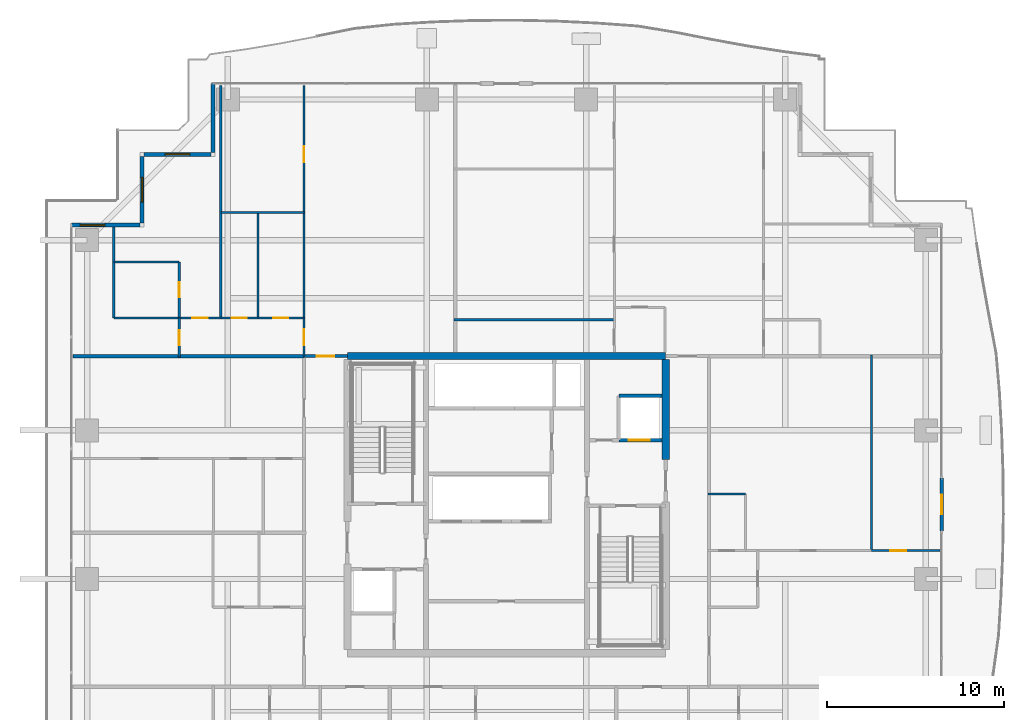
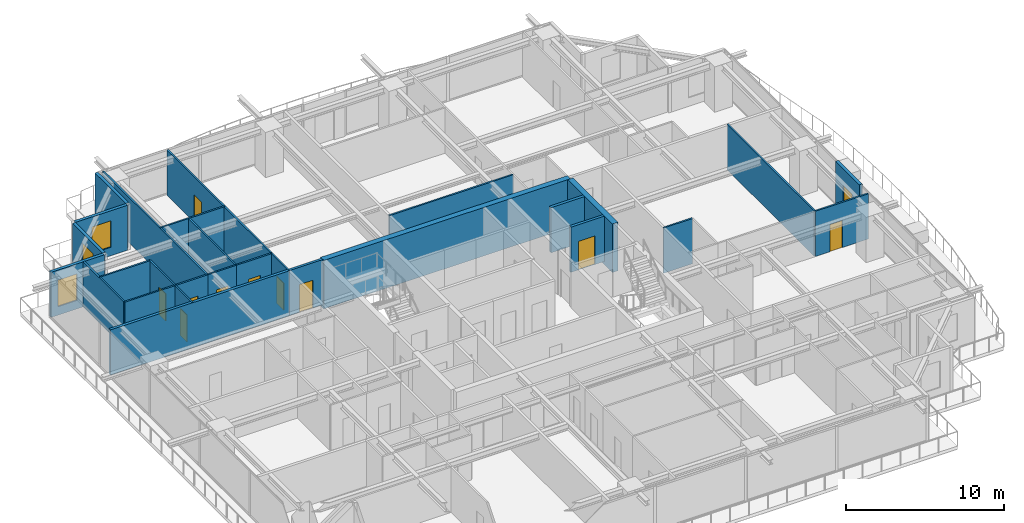
# One storey, part 26 of 33: 29 walls, 11 doors, 3 windows, 14 openings.
"""IFC4 building model written with IfcOpenShell, lengths in metres."""

from ifc_helpers import new_model, si_unit, direction, frame, frame_2d, origin, place, context, subcontext, project, spatial, rectangle, extrude, source, transform, mapped, material, layer, layer_set, type_object, element, fill, save


model = new_model("IFC4")

# Units and contexts
model_context = context("Model", 3, precision=1e-05, world=origin(), true_north=direction((0.0, 1.0)))
body_context = subcontext(model_context, "Body", "Model", "MODEL_VIEW")
ifc_project = project(units=[si_unit("LENGTHUNIT", "METRE"), si_unit("AREAUNIT", "SQUARE_METRE"), si_unit("VOLUMEUNIT", "CUBIC_METRE"), si_unit("PLANEANGLEUNIT", "RADIAN"), si_unit("MASSUNIT", "GRAM", prefix="KILO")], contexts=[model_context])

# Site, building, storey
site_placement = place(None, origin())
site = spatial("IfcSite", under=ifc_project, at=site_placement, CompositionType="ELEMENT")
building_placement = place(site_placement, origin())
building = spatial("IfcBuilding", under=site, at=building_placement, Name="Serunith Strait Residences", CompositionType="ELEMENT")
storey_placement = place(building_placement, frame((0.0, 0.0, 165.14990234375)))
storey = spatial("IfcBuildingStorey", under=building, at=storey_placement, Name="L41", CompositionType="ELEMENT", Elevation=165.14990234375)

# Wall, opening, door
ifc_material_1 = material(Name="Pale-Champagne Aluminium Insulated Panel", Category="aluminium")
ifc_layer_1 = layer(ifc_material_1, 0.219970703125, Name="Pale-Champagne Aluminium Insulated Panel")
ifc_layer_set_1 = layer_set([ifc_layer_1], Name="Pale-Champagne Aluminium Insulated Panel")
wall_type_1 = type_object("IfcWallType", Name="EW-ALUM-220", PredefinedType="ELEMENTEDWALL", material=ifc_layer_set_1)
wall_1_placement = place(storey_placement, frame((57.0, 23.699951171875, 0.0), z_axis=(0.0, 0.0, 1.0), x_axis=(0.0, 1.0, 0.0)))
wall_1 = element("IfcWall", 1, at=wall_1_placement, inside=storey, type_object=wall_type_1, Name="L41 E Facade Pier Wall", PredefinedType="ELEMENTEDWALL", context=body_context, shape_type="SweptSolid", body=[
    extrude(rectangle(XDim=3.0, YDim=0.219970703125, at=frame_2d((1.5, 0.0))), origin(), (0.0, 0.0, 1.0), 3.47509765625),
])
opening_1_placement = place(wall_1_placement, frame((0.949951171875, 0.0, 0.0)))
opening_1 = element("IfcOpeningElement", 2, at=opening_1_placement, cuts=wall_1, Name="Opening ED-03", PredefinedType="OPENING", context=body_context, shape_type="SweptSolid", body=[
    extrude(rectangle(XDim=1.10009765625, YDim=2.199951171875, at=frame_2d((0.550048828125, 1.10009765625))), frame((0.0, 0.1201171875, 0.0), z_axis=(0.0, -1.0, 0.0), x_axis=(1.0, 0.0, 0.0)), (0.0, 0.0, 1.0), 0.239990234375),
])
ifc_material_2 = material(Name="Thermally-Broken Aluminium Glazed Balcony Door", Category="aluminium")
door_type_1 = type_object("IfcDoorType", Name="ED-BALC-1100", OperationType="NOTDEFINED", PredefinedType="DOOR", material=ifc_material_2)
shared_shape_1 = source(origin(), body_context, "Body", "SweptSolid", [
    extrude(rectangle(XDim=1.10009765625, YDim=2.199951171875, at=frame_2d((0.550048828125, 1.10009765625))), frame((0.0, 0.02490234375, 0.0), z_axis=(0.0, -1.0, 0.0), x_axis=(1.0, 0.0, 0.0)), (0.0, 0.0, 1.0), 0.050048828125),
])
door_1_placement = place(opening_1_placement, origin())
door_1 = element("IfcDoor", 3, at=door_1_placement, inside=storey, type_object=door_type_1, Name="L41 E Vertical-Forest Balcony Door", OperationType="SINGLE_SWING_RIGHT", OverallHeight=2.199951171875, OverallWidth=1.10009765625, PredefinedType="DOOR", context=body_context, shape_type="MappedRepresentation", body=[
    mapped(shared_shape_1, transform((0.0, 0.0, 0.0), scale=1.0)),
])
fill(opening_1, door_1)

# Wall
wall_2_placement = place(storey_placement, frame((15.800048828125, 49.0, 0.0), z_axis=(0.0, 0.0, 1.0), x_axis=(0.0, -1.0, 0.0)))
element("IfcWall", 4, at=wall_2_placement, inside=storey, type_object=wall_type_1, Name="L41 Girih Serrated Corner Wall 12", PredefinedType="ELEMENTEDWALL", context=body_context, shape_type="SweptSolid", body=[
    extrude(rectangle(XDim=3.889892578125, YDim=0.219970703125, at=frame_2d((1.94482421875, 0.0))), origin(), (0.0, 0.0, 1.0), 3.47509765625),
])

# Wall, opening, window
wall_3_placement = place(storey_placement, frame((15.68994140625, 45.0, 0.0), z_axis=(0.0, 0.0, 1.0), x_axis=(-1.0, 0.0, 0.0)))
wall_3 = element("IfcWall", 5, at=wall_3_placement, inside=storey, type_object=wall_type_1, Name="L41 Girih Serrated Corner Wall 13", PredefinedType="ELEMENTEDWALL", context=body_context, shape_type="SweptSolid", body=[
    extrude(rectangle(XDim=3.780029296875, YDim=0.219970703125, at=frame_2d((1.89013671875, 0.0))), origin(), (0.0, 0.0, 1.0), 3.47509765625),
])
opening_2_placement = place(wall_3_placement, frame((1.18994140625, 0.0, 0.64990234375)))
opening_2 = element("IfcOpeningElement", 6, at=opening_2_placement, cuts=wall_3, Name="Opening W-03", PredefinedType="OPENING", context=body_context, shape_type="SweptSolid", body=[
    extrude(rectangle(XDim=1.39990234375, YDim=2.050048828125, at=frame_2d((0.699951171875, 1.02490234375))), frame((0.0, 0.1201171875, 0.0), z_axis=(0.0, -1.0, 0.0), x_axis=(1.0, 0.0, 0.0)), (0.0, 0.0, 1.0), 0.239990234375),
])
ifc_material_3 = material(Name="Ceramic-Fritted Operable Aluminium Window Glass", Category="aluminium")
window_type = type_object("IfcWindowType", Name="WIN-C3", PartitioningType="SINGLE_PANEL", PredefinedType="WINDOW", material=ifc_material_3)
shared_shape_2 = source(origin(), body_context, "Body", "SweptSolid", [
    extrude(rectangle(XDim=1.39990234375, YDim=2.050048828125, at=frame_2d((0.699951171875, 1.02490234375))), frame((0.0, 0.030029296875, 0.0), z_axis=(0.0, -1.0, 0.0), x_axis=(1.0, 0.0, 0.0)), (0.0, 0.0, 1.0), 0.06005859375),
])
window_1_placement = place(opening_2_placement, origin())
window_1 = element("IfcWindow", 7, at=window_1_placement, inside=storey, type_object=window_type, Name="L41 Corner Operable Fritted Window 13", OverallHeight=2.050048828125, OverallWidth=1.39990234375, PartitioningType="SINGLE_PANEL", PredefinedType="WINDOW", context=body_context, shape_type="MappedRepresentation", body=[
    mapped(shared_shape_2, transform((0.0, 0.0, 0.0), scale=1.0)),
])
fill(opening_2, window_1)

wall_4_placement = place(storey_placement, frame((11.800048828125, 44.889892578125, 0.0), z_axis=(0.0, 0.0, 1.0), x_axis=(0.0, -1.0, 0.0)))
wall_4 = element("IfcWall", 8, at=wall_4_placement, inside=storey, type_object=wall_type_1, Name="L41 Girih Serrated Corner Wall 14", PredefinedType="ELEMENTEDWALL", context=body_context, shape_type="SweptSolid", body=[
    extrude(rectangle(XDim=3.77978515625, YDim=0.219970703125, at=frame_2d((1.889892578125, 0.0))), origin(), (0.0, 0.0, 1.0), 3.47509765625),
])
opening_3_placement = place(wall_4_placement, frame((1.18994140625, 0.0, 0.64990234375)))
opening_3 = element("IfcOpeningElement", 9, at=opening_3_placement, cuts=wall_4, Name="Opening W-03", PredefinedType="OPENING", context=body_context, shape_type="SweptSolid", body=[
    extrude(rectangle(XDim=1.39990234375, YDim=2.050048828125, at=frame_2d((0.699951171875, 1.02490234375))), frame((0.0, 0.1201171875, 0.0), z_axis=(0.0, -1.0, 0.0), x_axis=(1.0, 0.0, 0.0)), (0.0, 0.0, 1.0), 0.239990234375),
])
window_2_placement = place(opening_3_placement, origin())
window_2 = element("IfcWindow", 10, at=window_2_placement, inside=storey, type_object=window_type, Name="L41 Corner Operable Fritted Window 14", OverallHeight=2.050048828125, OverallWidth=1.39990234375, PartitioningType="SINGLE_PANEL", PredefinedType="WINDOW", context=body_context, shape_type="MappedRepresentation", body=[
    mapped(shared_shape_2, transform((0.0, 0.0, 0.0), scale=1.0)),
])
fill(opening_3, window_2)

wall_5_placement = place(storey_placement, frame((11.68994140625, 41.0, 0.0), z_axis=(0.0, 0.0, 1.0), x_axis=(-1.0, 0.0, 0.0)))
wall_5 = element("IfcWall", 11, at=wall_5_placement, inside=storey, type_object=wall_type_1, Name="L41 Girih Serrated Corner Wall 15", PredefinedType="ELEMENTEDWALL", context=body_context, shape_type="SweptSolid", body=[
    extrude(rectangle(XDim=3.889892578125, YDim=0.219970703125, at=frame_2d((1.94482421875, 0.0))), origin(), (0.0, 0.0, 1.0), 3.47509765625),
])
opening_4_placement = place(wall_5_placement, frame((1.991943359375, 0.0, 0.64990234375)))
opening_4 = element("IfcOpeningElement", 12, at=opening_4_placement, cuts=wall_5, Name="Opening W-03", PredefinedType="OPENING", context=body_context, shape_type="SweptSolid", body=[
    extrude(rectangle(XDim=1.39990234375, YDim=2.050048828125, at=frame_2d((0.699951171875, 1.02490234375))), frame((0.0, 0.1201171875, 0.0), z_axis=(0.0, -1.0, 0.0), x_axis=(1.0, 0.0, 0.0)), (0.0, 0.0, 1.0), 0.239990234375),
])
window_3_placement = place(opening_4_placement, origin())
window_3 = element("IfcWindow", 13, at=window_3_placement, inside=storey, type_object=window_type, Name="L41 Corner Operable Fritted Window 15", OverallHeight=2.050048828125, OverallWidth=1.39990234375, PartitioningType="SINGLE_PANEL", PredefinedType="WINDOW", context=body_context, shape_type="MappedRepresentation", body=[
    mapped(shared_shape_2, transform((0.0, 0.0, 0.0), scale=1.0)),
])
fill(opening_4, window_3)

# Wall, opening, door
ifc_material_4 = material(Name="Fire-rated acoustic gypsum partition")
ifc_layer_2 = layer(ifc_material_4, 0.179931640625, Name="Fire-rated acoustic gypsum partition")
ifc_layer_set_2 = layer_set([ifc_layer_2], Name="Fire-rated acoustic gypsum partition")
wall_type_2 = type_object("IfcWallType", Name="IW-CORR-180", PredefinedType="PARTITIONING", material=ifc_layer_set_2)
wall_6_placement = place(storey_placement, frame((20.951904296875, 33.60009765625, 0.0), z_axis=(0.0, 0.0, 1.0), x_axis=(1.0, 0.0, 0.0)))
wall_6 = element("IfcWall", 14, at=wall_6_placement, inside=storey, type_object=wall_type_2, Name="L41 Partition Wall 026", PredefinedType="PARTITIONING", context=body_context, shape_type="SweptSolid", body=[
    extrude(rectangle(XDim=2.446044921875, YDim=0.179931640625, at=frame_2d((1.22314453125, 0.0))), origin(), (0.0, 0.0, 1.0), 3.489990234375),
])
opening_5_placement = place(wall_6_placement, frame((0.722900390625, 0.0, 0.0)))
opening_5 = element("IfcOpeningElement", 15, at=opening_5_placement, cuts=wall_6, Name="Opening D-APT1000", PredefinedType="OPENING", context=body_context, shape_type="SweptSolid", body=[
    extrude(rectangle(XDim=1.0, YDim=2.14990234375, at=frame_2d((0.5, 1.074951171875))), frame((0.0, 0.10009765625, 0.0), z_axis=(0.0, -1.0, 0.0), x_axis=(1.0, 0.0, 0.0)), (0.0, 0.0, 1.0), 0.199951171875),
])
ifc_material_5 = material(Name="Solid timber engineered fire door", Category="wood")
door_type_2 = type_object("IfcDoorType", Name="ID-APT-1000", OperationType="NOTDEFINED", PredefinedType="DOOR", material=ifc_material_5)
shared_shape_3 = source(origin(), body_context, "Body", "SweptSolid", [
    extrude(rectangle(XDim=1.0, YDim=2.14990234375, at=frame_2d((0.5, 1.074951171875))), frame((0.0, 0.02490234375, 0.0), z_axis=(0.0, -1.0, 0.0), x_axis=(1.0, 0.0, 0.0)), (0.0, 0.0, 1.0), 0.050048828125),
])
door_2_placement = place(opening_5_placement, origin())
door_2 = element("IfcDoor", 16, at=door_2_placement, inside=storey, type_object=door_type_2, Name="L41 Unit 04 Entrance Door", OperationType="SINGLE_SWING_RIGHT", OverallHeight=2.14990234375, OverallWidth=1.0, PredefinedType="DOOR", context=body_context, shape_type="MappedRepresentation", body=[
    mapped(shared_shape_3, transform((0.0, 0.0, 0.0), scale=1.0)),
])
fill(opening_5, door_2)

ifc_material_6 = material(Name="Lightweight steel-stud gypsum partition", Category="steel")
ifc_layer_3 = layer(ifc_material_6, 0.1201171875, Name="Lightweight steel-stud gypsum partition")
ifc_layer_set_3 = layer_set([ifc_layer_3], Name="Lightweight steel-stud gypsum partition")
wall_type_3 = type_object("IfcWallType", Name="IW-PART-120", PredefinedType="PARTITIONING", material=ifc_layer_set_3)
wall_7_placement = place(storey_placement, frame((20.949951171875, 35.75, 0.0), z_axis=(0.0, 0.0, 1.0), x_axis=(0.0, -1.0, 0.0)))
wall_7 = element("IfcWall", 17, at=wall_7_placement, inside=storey, type_object=wall_type_3, Name="L41 Partition Wall 058", PredefinedType="PARTITIONING", context=body_context, shape_type="SweptSolid", body=[
    extrude(rectangle(XDim=2.14794921875, YDim=0.1201171875, at=frame_2d((1.073974609375, 0.0))), origin(), (0.0, 0.0, 1.0), 3.489990234375),
])
opening_6_placement = place(wall_7_placement, frame((0.64208984375, 0.0, 0.0)))
opening_6 = element("IfcOpeningElement", 18, at=opening_6_placement, cuts=wall_7, Name="Opening D-RM900", PredefinedType="OPENING", context=body_context, shape_type="SweptSolid", body=[
    extrude(rectangle(XDim=0.89990234375, YDim=2.10009765625, at=frame_2d((0.449951171875, 1.050048828125))), frame((0.0, 0.070068359375, 0.0), z_axis=(0.0, -1.0, 0.0), x_axis=(1.0, 0.0, 0.0)), (0.0, 0.0, 1.0), 0.14013671875),
])
ifc_material_7 = material(Name="Engineered timber flush bedroom door", Category="wood")
door_type_3 = type_object("IfcDoorType", Name="ID-ROOM-900", OperationType="NOTDEFINED", PredefinedType="DOOR", material=ifc_material_7)
shared_shape_4 = source(origin(), body_context, "Body", "SweptSolid", [
    extrude(rectangle(XDim=0.89990234375, YDim=2.10009765625, at=frame_2d((0.449951171875, 1.050048828125))), frame((0.0, 0.02490234375, 0.0), z_axis=(0.0, -1.0, 0.0), x_axis=(1.0, 0.0, 0.0)), (0.0, 0.0, 1.0), 0.050048828125),
])
door_3_placement = place(opening_6_placement, origin())
door_3 = element("IfcDoor", 19, at=door_3_placement, inside=storey, type_object=door_type_3, Name="L41 Hall W 4104 Door", OperationType="SINGLE_SWING_RIGHT", OverallHeight=2.10009765625, OverallWidth=0.89990234375, PredefinedType="DOOR", context=body_context, shape_type="MappedRepresentation", body=[
    mapped(shared_shape_4, transform((0.0, 0.0, 0.0), scale=1.0)),
])
fill(opening_6, door_3)

wall_8_placement = place(storey_placement, frame((20.949951171875, 48.905029296875, 0.0), z_axis=(0.0, 0.0, 1.0), x_axis=(0.0, -1.0, 0.0)))
wall_8 = element("IfcWall", 20, at=wall_8_placement, inside=storey, type_object=wall_type_3, Name="L41 Partition Wall 059", PredefinedType="PARTITIONING", context=body_context, shape_type="SweptSolid", body=[
    extrude(rectangle(XDim=7.18212890625, YDim=0.1201171875, at=frame_2d((3.591064453125, 0.0))), origin(), (0.0, 0.0, 1.0), 3.489990234375),
])
opening_7_placement = place(wall_8_placement, frame((3.455078125, 0.0, 0.0)))
opening_7 = element("IfcOpeningElement", 21, at=opening_7_placement, cuts=wall_8, Name="Opening D-RM900", PredefinedType="OPENING", context=body_context, shape_type="SweptSolid", body=[
    extrude(rectangle(XDim=0.89990234375, YDim=2.10009765625, at=frame_2d((0.449951171875, 1.050048828125))), frame((0.0, 0.070068359375, 0.0), z_axis=(0.0, -1.0, 0.0), x_axis=(1.0, 0.0, 0.0)), (0.0, 0.0, 1.0), 0.14013671875),
])
door_4_placement = place(opening_7_placement, origin())
door_4 = element("IfcDoor", 22, at=door_4_placement, inside=storey, type_object=door_type_3, Name="L41 Formal Dining Room 1 4104 Door", OperationType="SINGLE_SWING_LEFT", OverallHeight=2.10009765625, OverallWidth=0.89990234375, PredefinedType="DOOR", context=body_context, shape_type="MappedRepresentation", body=[
    mapped(shared_shape_4, transform((0.0, 0.0, 0.0), scale=1.0)),
])
fill(opening_7, door_4)

# Walls
wall_9_placement = place(storey_placement, frame((20.949951171875, 41.720947265625, 0.0), z_axis=(0.0, 0.0, 1.0), x_axis=(0.0, -1.0, 0.0)))
element("IfcWall", 23, at=wall_9_placement, inside=storey, type_object=wall_type_3, Name="L41 Partition Wall 060", PredefinedType="PARTITIONING", context=body_context, shape_type="SweptSolid", body=[
    extrude(rectangle(XDim=5.968994140625, YDim=0.1201171875, at=frame_2d((2.984375, 0.0))), origin(), (0.0, 0.0, 1.0), 3.489990234375),
])
wall_10_placement = place(storey_placement, frame((16.25, 41.722900390625, 0.0), z_axis=(0.0, 0.0, 1.0), x_axis=(1.0, 0.0, 0.0)))
element("IfcWall", 24, at=wall_10_placement, inside=storey, type_object=wall_type_3, Name="L41 Partition Wall 061", PredefinedType="PARTITIONING", context=body_context, shape_type="SweptSolid", body=[
    extrude(rectangle(XDim=4.699951171875, YDim=0.1201171875, at=frame_2d((2.35009765625, 0.0))), origin(), (0.0, 0.0, 1.0), 3.489990234375),
])
wall_11_placement = place(storey_placement, frame((16.25, 48.905029296875, 0.0), z_axis=(0.0, 0.0, 1.0), x_axis=(0.0, -1.0, 0.0)))
element("IfcWall", 25, at=wall_11_placement, inside=storey, type_object=wall_type_3, Name="L41 Partition Wall 062", PredefinedType="PARTITIONING", context=body_context, shape_type="SweptSolid", body=[
    extrude(rectangle(XDim=13.155029296875, YDim=0.1201171875, at=frame_2d((6.57763671875, 0.0))), origin(), (0.0, 0.0, 1.0), 3.489990234375),
])
wall_12_placement = place(storey_placement, frame((18.35009765625, 41.722900390625, 0.0), z_axis=(0.0, 0.0, 1.0), x_axis=(0.0, -1.0, 0.0)))
element("IfcWall", 26, at=wall_12_placement, inside=storey, type_object=wall_type_3, Name="L41 Partition Wall 063", PredefinedType="PARTITIONING", context=body_context, shape_type="SweptSolid", body=[
    extrude(rectangle(XDim=5.972900390625, YDim=0.1201171875, at=frame_2d((2.986328125, 0.0))), origin(), (0.0, 0.0, 1.0), 3.489990234375),
])

# Wall, opening, door
wall_13_placement = place(storey_placement, frame((16.25, 35.75, 0.0), z_axis=(0.0, 0.0, 1.0), x_axis=(1.0, 0.0, 0.0)))
wall_13 = element("IfcWall", 27, at=wall_13_placement, inside=storey, type_object=wall_type_3, Name="L41 Partition Wall 064", PredefinedType="PARTITIONING", context=body_context, shape_type="SweptSolid", body=[
    extrude(rectangle(XDim=2.10009765625, YDim=0.1201171875, at=frame_2d((1.050048828125, 0.0))), origin(), (0.0, 0.0, 1.0), 3.489990234375),
])
opening_8_placement = place(wall_13_placement, frame((0.625, 0.0, 0.0)))
opening_8 = element("IfcOpeningElement", 28, at=opening_8_placement, cuts=wall_13, Name="Opening D-BTH850", PredefinedType="OPENING", context=body_context, shape_type="SweptSolid", body=[
    extrude(rectangle(XDim=0.85009765625, YDim=2.10009765625, at=frame_2d((0.425048828125, 1.050048828125))), frame((0.0, 0.070068359375, 0.0), z_axis=(0.0, -1.0, 0.0), x_axis=(1.0, 0.0, 0.0)), (0.0, 0.0, 1.0), 0.14013671875),
])
ifc_material_8 = material(Name="Moisture-resistant timber bathroom door", Category="wood")
door_type_4 = type_object("IfcDoorType", Name="ID-BATH-850", OperationType="NOTDEFINED", PredefinedType="DOOR", material=ifc_material_8)
shared_shape_5 = source(origin(), body_context, "Body", "SweptSolid", [
    extrude(rectangle(XDim=0.85009765625, YDim=2.10009765625, at=frame_2d((0.425048828125, 1.050048828125))), frame((0.0, 0.02490234375, 0.0), z_axis=(0.0, -1.0, 0.0), x_axis=(1.0, 0.0, 0.0)), (0.0, 0.0, 1.0), 0.050048828125),
])
door_5_placement = place(opening_8_placement, origin())
door_5 = element("IfcDoor", 29, at=door_5_placement, inside=storey, type_object=door_type_4, Name="L41 Bathroom 4104 Door", OperationType="SINGLE_SWING_RIGHT", OverallHeight=2.10009765625, OverallWidth=0.85009765625, PredefinedType="DOOR", context=body_context, shape_type="MappedRepresentation", body=[
    mapped(shared_shape_5, transform((0.0, 0.0, 0.0), scale=1.0)),
])
fill(opening_8, door_5)

wall_14_placement = place(storey_placement, frame((18.35205078125, 35.75, 0.0), z_axis=(0.0, 0.0, 1.0), x_axis=(1.0, 0.0, 0.0)))
wall_14 = element("IfcWall", 30, at=wall_14_placement, inside=storey, type_object=wall_type_3, Name="L41 Partition Wall 065", PredefinedType="PARTITIONING", context=body_context, shape_type="SweptSolid", body=[
    extrude(rectangle(XDim=2.597900390625, YDim=0.1201171875, at=frame_2d((1.298828125, 0.0))), origin(), (0.0, 0.0, 1.0), 3.489990234375),
])
opening_9_placement = place(wall_14_placement, frame((0.8740234375, 0.0, 0.0)))
opening_9 = element("IfcOpeningElement", 31, at=opening_9_placement, cuts=wall_14, Name="Opening D-RM850", PredefinedType="OPENING", context=body_context, shape_type="SweptSolid", body=[
    extrude(rectangle(XDim=0.85009765625, YDim=2.10009765625, at=frame_2d((0.425048828125, 1.050048828125))), frame((0.0, 0.070068359375, 0.0), z_axis=(0.0, -1.0, 0.0), x_axis=(1.0, 0.0, 0.0)), (0.0, 0.0, 1.0), 0.14013671875),
])
ifc_material_9 = material(Name="Engineered timber flush study and kitchen door", Category="wood")
door_type_5 = type_object("IfcDoorType", Name="ID-ROOM-850", OperationType="NOTDEFINED", PredefinedType="DOOR", material=ifc_material_9)
door_6_placement = place(opening_9_placement, origin())
door_6 = element("IfcDoor", 32, at=door_6_placement, inside=storey, type_object=door_type_5, Name="L41 Kitchen 4104 Door", OperationType="SINGLE_SWING_LEFT", OverallHeight=2.10009765625, OverallWidth=0.85009765625, PredefinedType="DOOR", context=body_context, shape_type="MappedRepresentation", body=[
    mapped(shared_shape_5, transform((0.0, 0.0, 0.0), scale=1.0)),
])
fill(opening_9, door_6)

wall_15_placement = place(storey_placement, frame((13.89990234375, 35.75, 0.0), z_axis=(0.0, 0.0, 1.0), x_axis=(1.0, 0.0, 0.0)))
wall_15 = element("IfcWall", 33, at=wall_15_placement, inside=storey, type_object=wall_type_3, Name="L41 Partition Wall 066", PredefinedType="PARTITIONING", context=body_context, shape_type="SweptSolid", body=[
    extrude(rectangle(XDim=2.34814453125, YDim=0.1201171875, at=frame_2d((1.174072265625, 0.0))), origin(), (0.0, 0.0, 1.0), 3.489990234375),
])
opening_10_placement = place(wall_15_placement, frame((0.72412109375, 0.0, 0.0)))
opening_10 = element("IfcOpeningElement", 34, at=opening_10_placement, cuts=wall_15, Name="Opening D-RM900", PredefinedType="OPENING", context=body_context, shape_type="SweptSolid", body=[
    extrude(rectangle(XDim=0.89990234375, YDim=2.10009765625, at=frame_2d((0.449951171875, 1.050048828125))), frame((0.0, 0.070068359375, 0.0), z_axis=(0.0, -1.0, 0.0), x_axis=(1.0, 0.0, 0.0)), (0.0, 0.0, 1.0), 0.14013671875),
])
door_7_placement = place(opening_10_placement, origin())
door_7 = element("IfcDoor", 35, at=door_7_placement, inside=storey, type_object=door_type_3, Name="L41 Master Bedroom W 4104 Door", OperationType="SINGLE_SWING_RIGHT", OverallHeight=2.10009765625, OverallWidth=0.89990234375, PredefinedType="DOOR", context=body_context, shape_type="MappedRepresentation", body=[
    mapped(shared_shape_4, transform((0.0, 0.0, 0.0), scale=1.0)),
])
fill(opening_10, door_7)

# Walls
wall_16_placement = place(storey_placement, frame((10.199951171875, 38.923095703125, 0.0), z_axis=(0.0, 0.0, 1.0), x_axis=(1.0, 0.0, 0.0)))
element("IfcWall", 36, at=wall_16_placement, inside=storey, type_object=wall_type_3, Name="L41 Partition Wall 067", PredefinedType="PARTITIONING", context=body_context, shape_type="SweptSolid", body=[
    extrude(rectangle(XDim=3.699951171875, YDim=0.1201171875, at=frame_2d((1.85009765625, 0.0))), origin(), (0.0, 0.0, 1.0), 3.489990234375),
])
wall_17_placement = place(storey_placement, frame((10.199951171875, 40.905029296875, 0.0), z_axis=(0.0, 0.0, 1.0), x_axis=(0.0, -1.0, 0.0)))
element("IfcWall", 37, at=wall_17_placement, inside=storey, type_object=wall_type_3, Name="L41 Partition Wall 068", PredefinedType="PARTITIONING", context=body_context, shape_type="SweptSolid", body=[
    extrude(rectangle(XDim=5.155029296875, YDim=0.1201171875, at=frame_2d((2.57763671875, 0.0))), origin(), (0.0, 0.0, 1.0), 3.489990234375),
])
wall_18_placement = place(storey_placement, frame((10.199951171875, 35.75, 0.0), z_axis=(0.0, 0.0, 1.0), x_axis=(1.0, 0.0, 0.0)))
element("IfcWall", 38, at=wall_18_placement, inside=storey, type_object=wall_type_3, Name="L41 Partition Wall 069", PredefinedType="PARTITIONING", context=body_context, shape_type="SweptSolid", body=[
    extrude(rectangle(XDim=3.697998046875, YDim=0.1201171875, at=frame_2d((1.84912109375, 0.0))), origin(), (0.0, 0.0, 1.0), 3.489990234375),
])

# Wall, opening, door
wall_19_placement = place(storey_placement, frame((13.89990234375, 38.923095703125, 0.0), z_axis=(0.0, 0.0, 1.0), x_axis=(0.0, -1.0, 0.0)))
wall_19 = element("IfcWall", 39, at=wall_19_placement, inside=storey, type_object=wall_type_3, Name="L41 Partition Wall 070", PredefinedType="PARTITIONING", context=body_context, shape_type="SweptSolid", body=[
    extrude(rectangle(XDim=3.173095703125, YDim=0.1201171875, at=frame_2d((1.58642578125, 0.0))), origin(), (0.0, 0.0, 1.0), 3.489990234375),
])
opening_11_placement = place(wall_19_placement, frame((1.162109375, 0.0, 0.0)))
opening_11 = element("IfcOpeningElement", 40, at=opening_11_placement, cuts=wall_19, Name="Opening D-BTH850", PredefinedType="OPENING", context=body_context, shape_type="SweptSolid", body=[
    extrude(rectangle(XDim=0.85009765625, YDim=2.10009765625, at=frame_2d((0.425048828125, 1.050048828125))), frame((0.0, 0.070068359375, 0.0), z_axis=(0.0, -1.0, 0.0), x_axis=(1.0, 0.0, 0.0)), (0.0, 0.0, 1.0), 0.14013671875),
])
door_8_placement = place(opening_11_placement, origin())
door_8 = element("IfcDoor", 41, at=door_8_placement, inside=storey, type_object=door_type_4, Name="L41 En-suite Bathroom W 4104 Door", OperationType="SINGLE_SWING_LEFT", OverallHeight=2.10009765625, OverallWidth=0.85009765625, PredefinedType="DOOR", context=body_context, shape_type="MappedRepresentation", body=[
    mapped(shared_shape_5, transform((0.0, 0.0, 0.0), scale=1.0)),
])
fill(opening_11, door_8)

wall_20_placement = place(storey_placement, frame((13.89990234375, 35.748046875, 0.0), z_axis=(0.0, 0.0, 1.0), x_axis=(0.0, -1.0, 0.0)))
wall_20 = element("IfcWall", 42, at=wall_20_placement, inside=storey, type_object=wall_type_3, Name="L41 Partition Wall 071", PredefinedType="PARTITIONING", context=body_context, shape_type="SweptSolid", body=[
    extrude(rectangle(XDim=2.2080078125, YDim=0.1201171875, at=frame_2d((1.10400390625, 0.0))), origin(), (0.0, 0.0, 1.0), 3.489990234375),
])
opening_12_placement = place(wall_20_placement, frame((0.678955078125, 0.0, 0.0)))
opening_12 = element("IfcOpeningElement", 43, at=opening_12_placement, cuts=wall_20, Name="Opening D-RM850", PredefinedType="OPENING", context=body_context, shape_type="SweptSolid", body=[
    extrude(rectangle(XDim=0.85009765625, YDim=2.10009765625, at=frame_2d((0.425048828125, 1.050048828125))), frame((0.0, 0.070068359375, 0.0), z_axis=(0.0, -1.0, 0.0), x_axis=(1.0, 0.0, 0.0)), (0.0, 0.0, 1.0), 0.14013671875),
])
door_9_placement = place(opening_12_placement, origin())
door_9 = element("IfcDoor", 44, at=door_9_placement, inside=storey, type_object=door_type_5, Name="L41 Wardrobe W 4104 Door", OperationType="SINGLE_SWING_RIGHT", OverallHeight=2.10009765625, OverallWidth=0.85009765625, PredefinedType="DOOR", context=body_context, shape_type="MappedRepresentation", body=[
    mapped(shared_shape_5, transform((0.0, 0.0, 0.0), scale=1.0)),
])
fill(opening_12, door_9)

# Wall
wall_21_placement = place(storey_placement, frame((29.43994140625, 35.64990234375, 0.0), z_axis=(0.0, 0.0, 1.0), x_axis=(1.0, 0.0, 0.0)))
element("IfcWall", 45, at=wall_21_placement, inside=storey, type_object=wall_type_3, Name="L41 Partition Wall 076", PredefinedType="PARTITIONING", context=body_context, shape_type="SweptSolid", body=[
    extrude(rectangle(XDim=9.06005859375, YDim=0.1201171875, at=frame_2d((4.530029296875, 0.0))), origin(), (0.0, 0.0, 1.0), 3.489990234375),
])

# Wall, opening, door
wall_22_placement = place(storey_placement, frame((56.905029296875, 22.60009765625, 0.0), z_axis=(0.0, 0.0, 1.0), x_axis=(-1.0, 0.0, 0.0)))
wall_22 = element("IfcWall", 46, at=wall_22_placement, inside=storey, type_object=wall_type_3, Name="L41 Partition Wall 096", PredefinedType="PARTITIONING", context=body_context, shape_type="SweptSolid", body=[
    extrude(rectangle(XDim=3.879150390625, YDim=0.1201171875, at=frame_2d((1.939453125, 0.0))), origin(), (0.0, 0.0, 1.0), 3.489990234375),
])
opening_13_placement = place(wall_22_placement, frame((1.91796875, 0.0, 0.0)))
opening_13 = element("IfcOpeningElement", 47, at=opening_13_placement, cuts=wall_22, Name="Opening D-RM900", PredefinedType="OPENING", context=body_context, shape_type="SweptSolid", body=[
    extrude(rectangle(XDim=0.89990234375, YDim=2.10009765625, at=frame_2d((0.449951171875, 1.050048828125))), frame((0.0, 0.070068359375, 0.0), z_axis=(0.0, -1.0, 0.0), x_axis=(1.0, 0.0, 0.0)), (0.0, 0.0, 1.0), 0.14013671875),
])
door_10_placement = place(opening_13_placement, origin())
door_10 = element("IfcDoor", 48, at=door_10_placement, inside=storey, type_object=door_type_3, Name="L41 Master Bedroom 1 4108 Door", OperationType="SINGLE_SWING_RIGHT", OverallHeight=2.10009765625, OverallWidth=0.89990234375, PredefinedType="DOOR", context=body_context, shape_type="MappedRepresentation", body=[
    mapped(shared_shape_4, transform((0.0, 0.0, 0.0), scale=1.0)),
])
fill(opening_13, door_10)

# Walls
wall_23_placement = place(storey_placement, frame((53.02587890625, 22.60009765625, 0.0), z_axis=(0.0, 0.0, 1.0), x_axis=(0.0, 1.0, 0.0)))
element("IfcWall", 49, at=wall_23_placement, inside=storey, type_object=wall_type_3, Name="L41 Partition Wall 097", PredefinedType="PARTITIONING", context=body_context, shape_type="SweptSolid", body=[
    extrude(rectangle(XDim=11.059814453125, YDim=0.1201171875, at=frame_2d((5.52978515625, 0.0))), origin(), (0.0, 0.0, 1.0), 3.489990234375),
])
wall_24_placement = place(storey_placement, frame((45.89990234375, 25.800048828125, 0.0), z_axis=(0.0, 0.0, 1.0), x_axis=(-1.0, 0.0, 0.0)))
element("IfcWall", 50, at=wall_24_placement, inside=storey, type_object=wall_type_3, Name="L41 Partition Wall 099", PredefinedType="PARTITIONING", context=body_context, shape_type="SweptSolid", body=[
    extrude(rectangle(XDim=2.10986328125, YDim=0.1201171875, at=frame_2d((1.054931640625, 0.0))), origin(), (0.0, 0.0, 1.0), 3.489990234375),
])
ifc_material_10 = material(Name="Twin-stud acoustic gypsum board partition")
ifc_layer_4 = layer(ifc_material_10, 0.199951171875, Name="Twin-stud acoustic gypsum board partition")
ifc_layer_set_4 = layer_set([ifc_layer_4], Name="Twin-stud acoustic gypsum board partition")
wall_type_4 = type_object("IfcWallType", Name="IW-PARTY-200", PredefinedType="PARTITIONING", material=ifc_layer_set_4)
wall_25_placement = place(storey_placement, frame((7.882080078125, 33.60009765625, 0.0), z_axis=(0.0, 0.0, 1.0), x_axis=(1.0, 0.0, 0.0)))
element("IfcWall", 51, at=wall_25_placement, inside=storey, type_object=wall_type_4, Name="L41 Partition Wall 021", PredefinedType="PARTITIONING", context=body_context, shape_type="SweptSolid", body=[
    extrude(rectangle(XDim=13.06787109375, YDim=0.199951171875, at=frame_2d((6.533935546875, 0.0))), origin(), (0.0, 0.0, 1.0), 3.489990234375),
])

# Wall, opening, door
ifc_material_11 = material(Name="Autoclaved aerated concrete blockwork", Category="masonry")
ifc_layer_5 = layer(ifc_material_11, 0.199951171875, Name="Autoclaved aerated concrete blockwork")
ifc_layer_set_5 = layer_set([ifc_layer_5], Name="Autoclaved aerated concrete blockwork")
wall_type_5 = type_object("IfcWallType", Name="IW-SHAFT-200", PredefinedType="STANDARD", material=ifc_layer_set_5)
wall_26_placement = place(storey_placement, frame((38.75, 28.85009765625, 0.0), z_axis=(0.0, 0.0, 1.0), x_axis=(1.0, 0.0, 0.0)))
wall_26 = element("IfcWall", 52, at=wall_26_placement, inside=storey, type_object=wall_type_5, Name="L41 FL-2 South Shaft Wall", PredefinedType="STANDARD", context=body_context, shape_type="SweptSolid", body=[
    extrude(rectangle(XDim=2.449951171875, YDim=0.199951171875, at=frame_2d((1.22509765625, 0.0))), origin(), (0.0, 0.0, 1.0), 3.489990234375),
])
opening_14_placement = place(wall_26_placement, frame((0.550048828125, 0.0, 0.0)))
opening_14 = element("IfcOpeningElement", 53, at=opening_14_placement, cuts=wall_26, Name="Opening LD-FF1200", PredefinedType="OPENING", context=body_context, shape_type="SweptSolid", body=[
    extrude(rectangle(XDim=1.199951171875, YDim=2.199951171875, at=frame_2d((0.60009765625, 1.10009765625))), frame((0.0, 0.10986328125, 0.0), z_axis=(0.0, -1.0, 0.0), x_axis=(1.0, 0.0, 0.0)), (0.0, 0.0, 1.0), 0.219970703125),
])
ifc_material_12 = material(Name="Brushed stainless steel landing door", Category="steel")
door_type_6 = type_object("IfcDoorType", Name="LD-FF-1200", OperationType="DOUBLE_DOOR_SLIDING", PredefinedType="DOOR", material=ifc_material_12)
shared_shape_6 = source(origin(), body_context, "Body", "SweptSolid", [
    extrude(rectangle(XDim=1.199951171875, YDim=2.199951171875, at=frame_2d((0.60009765625, 1.10009765625))), frame((0.0, 0.02490234375, 0.0), z_axis=(0.0, -1.0, 0.0), x_axis=(1.0, 0.0, 0.0)), (0.0, 0.0, 1.0), 0.050048828125),
])
door_11_placement = place(opening_14_placement, origin())
door_11 = element("IfcDoor", 54, at=door_11_placement, inside=storey, type_object=door_type_6, Name="L41 FL-2 Landing Door", OperationType="DOUBLE_DOOR_SLIDING", OverallHeight=2.199951171875, OverallWidth=1.199951171875, PredefinedType="DOOR", context=body_context, shape_type="MappedRepresentation", body=[
    mapped(shared_shape_6, transform((0.0, 0.0, 0.0), scale=1.0)),
])
fill(opening_14, door_11)

# Walls
wall_27_placement = place(storey_placement, frame((38.75, 31.35009765625, 0.0), z_axis=(0.0, 0.0, 1.0), x_axis=(1.0, 0.0, 0.0)))
element("IfcWall", 55, at=wall_27_placement, inside=storey, type_object=wall_type_5, Name="L41 Partition Wall 005", PredefinedType="STANDARD", context=body_context, shape_type="SweptSolid", body=[
    extrude(rectangle(XDim=2.449951171875, YDim=0.199951171875, at=frame_2d((1.22509765625, 0.0))), origin(), (0.0, 0.0, 1.0), 3.489990234375),
])
ifc_material_13 = material(Name="Concrete C70/85", Category="concrete")
ifc_layer_6 = layer(ifc_material_13, 0.39990234375, Name="Concrete C70/85")
ifc_layer_set_6 = layer_set([ifc_layer_6], Name="Concrete C70/85")
wall_type_6 = type_object("IfcWallType", Name="SW-400-C70", PredefinedType="SHEAR", material=ifc_layer_set_6)
wall_28_placement = place(storey_placement, frame((41.39990234375, 33.60009765625, -0.260009765625), z_axis=(0.0, 0.0, 1.0), x_axis=(-1.0, 0.0, 0.0)))
element("IfcWall", 56, at=wall_28_placement, inside=storey, type_object=wall_type_6, Name="L41 Core North Shear Wall", PredefinedType="SHEAR", context=body_context, shape_type="SweptSolid", body=[
    extrude(rectangle(XDim=18.0, YDim=0.39990234375, at=frame_2d((9.0, 0.0))), origin(), (0.0, 0.0, 1.0), 3.748046875),
])
wall_29_placement = place(storey_placement, frame((41.39990234375, 27.75, -0.260009765625), z_axis=(0.0, 0.0, 1.0), x_axis=(0.0, 1.0, 0.0)))
element("IfcWall", 57, at=wall_29_placement, inside=storey, type_object=wall_type_6, Name="L41 Core East Shear Wall North Pier", PredefinedType="SHEAR", context=body_context, shape_type="SweptSolid", body=[
    extrude(rectangle(XDim=5.64990234375, YDim=0.39990234375, at=frame_2d((2.824951171875, 0.0))), origin(), (0.0, 0.0, 1.0), 3.748046875),
])

save(model, "model.ifc")
